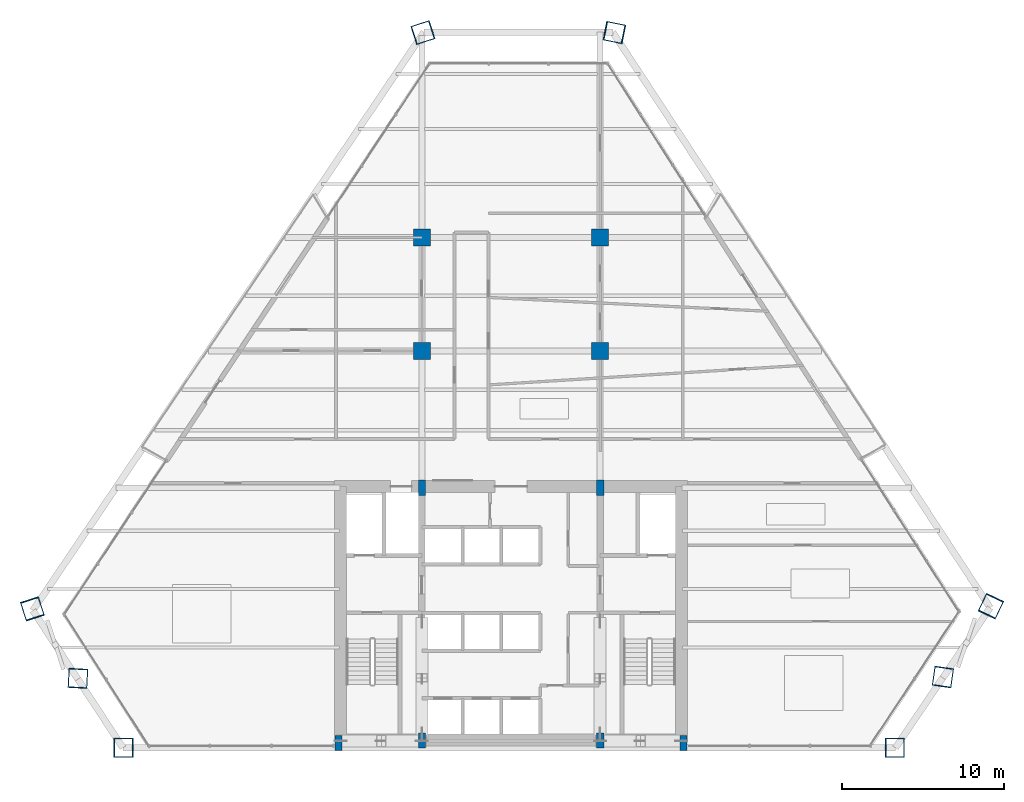
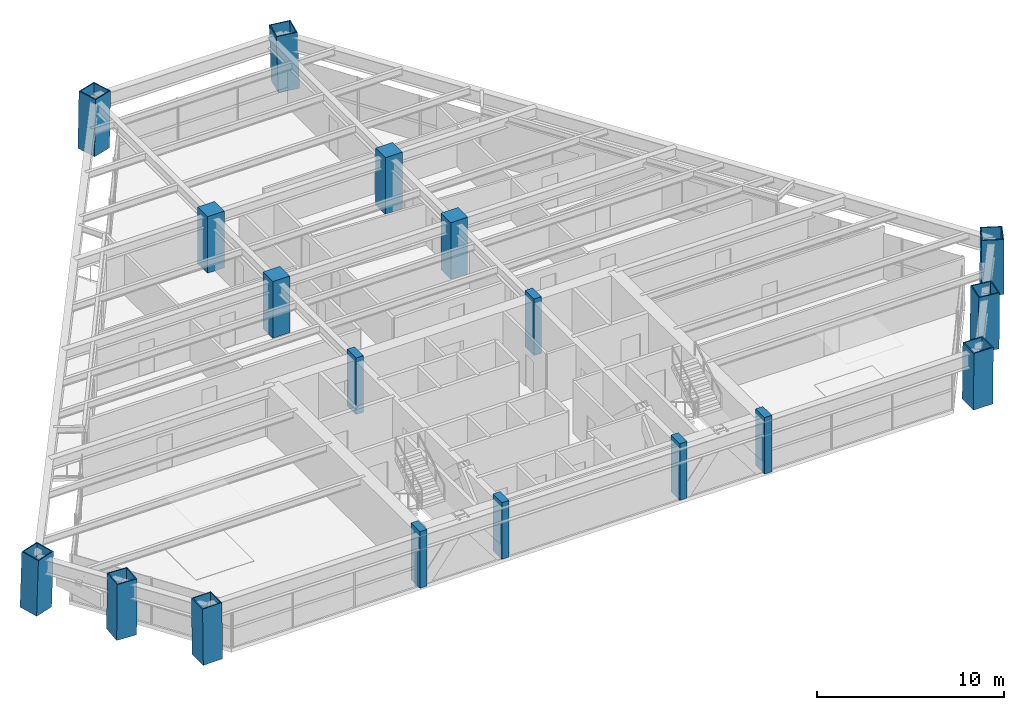
# One storey, part 1 of 14: 18 columns.
"""IFC4 building model written with IfcOpenShell, lengths in metres."""

from ifc_helpers import new_model, si_unit, direction, frame, origin, origin_2d, place, context, subcontext, project, spatial, rectangle, hollow_rectangle, extrude, source, transform, mapped, material, material_profile, profile_set, type_object, type_shapes, element, save


model = new_model("IFC4")

# Units and contexts
model_context = context("Model", 3, precision=1e-05, world=origin(), true_north=direction((0.0, 1.0)))
body_context = subcontext(model_context, "Body", "Model", "MODEL_VIEW")
ifc_project = project(units=[si_unit("LENGTHUNIT", "METRE"), si_unit("AREAUNIT", "SQUARE_METRE"), si_unit("VOLUMEUNIT", "CUBIC_METRE"), si_unit("PLANEANGLEUNIT", "RADIAN"), si_unit("MASSUNIT", "GRAM", prefix="KILO")], contexts=[model_context])

# Site, building, storey
site_placement = place(None, origin())
site = spatial("IfcSite", under=ifc_project, at=site_placement, CompositionType="ELEMENT")
building_placement = place(site_placement, origin())
building = spatial("IfcBuilding", under=site, at=building_placement, Name="Varnakhor Terracotta Tower", CompositionType="ELEMENT")
storey_placement = place(building_placement, frame((0.0, 0.0, 117.300048828125)))
storey = spatial("IfcBuildingStorey", under=building, at=storey_placement, Name="L29", CompositionType="ELEMENT", Elevation=117.300048828125)

# Columns
ifc_material_1 = material(Name="Concrete C50/60", Category="concrete")
ifc_material_profile_1 = material_profile(ifc_material_1, rectangle(XDim=0.449951171875, YDim=0.949951171875, at=origin_2d()), Name="RC PILASTER 950x450")
ifc_profile_set_1 = profile_set([ifc_material_profile_1], Name="Concrete C50/60")
column_type_1 = type_object("IfcColumnType", Name="COL-PIL-950x450", PredefinedType="PILASTER", material=ifc_profile_set_1)
shared_shape_1 = source(origin(), body_context, "Body", "SweptSolid", [
    extrude(rectangle(XDim=0.449951171875, YDim=0.949951171875, at=origin_2d()), origin(), (0.0, 0.0, 1.0), 3.699951171875),
])
for number, where, z_axis, x_axis, name in (
    (1, (-10.64990234375, 0.300048828125, 0.0), (0.0, 0.0, 1.0), (1.0, 0.0, 0.0), "L29 Core Pilaster CP1"),
    (2, (-5.5, 0.449951171875, 0.0), (0.0, 0.0, 1.0), (1.0, 0.0, 0.0), "L29 Core Pilaster CP2"),
    (3, (5.5, 0.449951171875, 0.0), (0.0, 0.0, 1.0), (1.0, 0.0, 0.0), "L29 Core Pilaster CP3"),
    (4, (10.64990234375, 0.300048828125, 0.0), (0.0, 0.0, 1.0), (1.0, 0.0, 0.0), "L29 Core Pilaster CP4"),
    (5, (-5.5, 16.050048828125, 0.0), (0.0, 0.0, 1.0), (1.0, 0.0, 0.0), "L29 Core Pilaster CP5"),
    (6, (5.5, 16.050048828125, 0.0), (0.0, 0.0, 1.0), (1.0, 0.0, 0.0), "L29 Core Pilaster CP6"),
):
    element("IfcColumn", number, at=place(storey_placement, frame(where, z_axis=z_axis, x_axis=x_axis)), inside=storey, type_object=column_type_1, Name=name, PredefinedType="PILASTER", context=body_context, shape_type="MappedRepresentation", body=[
        mapped(shared_shape_1, transform((0.0, 0.0, 0.0), scale=1.0)),
    ])
ifc_material_2 = material(Name="Concrete C60/75", Category="concrete")
ifc_material_profile_2 = material_profile(ifc_material_2, rectangle(XDim=1.050048828125, YDim=1.050048828125, at=origin_2d()), Name="RC 1050x1050")
ifc_profile_set_2 = profile_set([ifc_material_profile_2], Name="Concrete C60/75")
column_type_2 = type_object("IfcColumnType", Name="COL-RC-1050", PredefinedType="COLUMN", material=ifc_profile_set_2)
shared_shape_2 = source(origin(), body_context, "Body", "SweptSolid", [
    extrude(rectangle(XDim=1.050048828125, YDim=1.050048828125, at=origin_2d()), origin(), (0.0, 0.0, 1.0), 3.699951171875),
])
for number, where, z_axis, x_axis, name in (
    (7, (-5.5, 24.5, 0.0), (0.0, 0.0, 1.0), (1.0, 0.0, 0.0), "L29 Interior Tower Column IC1"),
    (8, (5.5, 24.5, 0.0), (0.0, 0.0, 1.0), (1.0, 0.0, 0.0), "L29 Interior Tower Column IC2"),
    (9, (-5.5, 31.5, 0.0), (0.0, 0.0, 1.0), (1.0, 0.0, 0.0), "L29 Interior Tower Column IC3"),
    (10, (5.5, 31.5, 0.0), (0.0, 0.0, 1.0), (1.0, 0.0, 0.0), "L29 Interior Tower Column IC4"),
):
    element("IfcColumn", number, at=place(storey_placement, frame(where, z_axis=z_axis, x_axis=x_axis)), inside=storey, type_object=column_type_2, Name=name, PredefinedType="COLUMN", context=body_context, shape_type="MappedRepresentation", body=[
        mapped(shared_shape_2, transform((0.0, 0.0, 0.0), scale=1.0)),
    ])
ifc_material_3 = material(Name="Steel S460", Category="steel")
ifc_material_profile_3 = material_profile(ifc_material_3, hollow_rectangle(XDim=1.199951171875, YDim=1.199951171875, WallThickness=0.06005859375, at=origin_2d()), Name="BOX 1200x1200x60")
ifc_profile_set_3 = profile_set([ifc_material_profile_3], Name="Steel S460")
column_type_3 = type_object("IfcColumnType", Name="COL-MEGA-1200", PredefinedType="COLUMN", material=ifc_profile_set_3)
shared_shape_3 = source(origin(), body_context, "Body", "SweptSolid", [
    extrude(hollow_rectangle(XDim=1.199951171875, YDim=1.199951171875, WallThickness=0.06005859375, at=origin_2d()), origin(), (0.0, 0.0, 1.0), 3.691650390625),
])
type_shapes(column_type_3, [shared_shape_3])
for number, where, z_axis, x_axis, name in (
    (11, (26.6591796875, 4.380126953125, 0.00439453125), (-0.002248546376, -0.015607557197, 0.999875666369), (0.989781037653, -0.142595573221, 0.0), "L29 Perimeter Mega-Column M3"),
    (12, (-26.7294921875, 4.298095703125, 0.00439453125), (-0.000925861215, -0.016467103041, 0.999863979398), (0.998423118025, -0.056136239568, 0.0), "L29 Perimeter Mega-Column M8"),
):
    element("IfcColumn", number, at=place(storey_placement, frame(where, z_axis=z_axis, x_axis=x_axis)), inside=storey, type_object=column_type_3, Name=name, PredefinedType="COLUMN", context=body_context, shape_type="MappedRepresentation", body=[
        mapped(shared_shape_3, transform((0.0, 0.0, 0.0), scale=1.0)),
    ])
shared_shape_4 = source(origin(), body_context, "Body", "SweptSolid", [
    extrude(hollow_rectangle(XDim=1.199951171875, YDim=1.199951171875, WallThickness=0.06005859375, at=origin_2d()), origin(), (0.0, 0.0, 1.0), 3.69140625),
])
for number, where, z_axis, x_axis, name in (
    (13, (-23.907958984375, 0.0, 0.00439453125), (-0.01256597649, 0.0, 0.999921045), (0.0, -1.0, 0.0), "L29 Perimeter Mega-Column M1"),
    (14, (23.689208984375, 0.0, 0.00439453125), (0.010449856009, 0.0, 0.999945398764), (0.0, 1.0, 0.0), "L29 Perimeter Mega-Column M2"),
):
    element("IfcColumn", number, at=place(storey_placement, frame(where, z_axis=z_axis, x_axis=x_axis)), inside=storey, type_object=column_type_3, Name=name, PredefinedType="COLUMN", context=body_context, shape_type="MappedRepresentation", body=[
        mapped(shared_shape_4, transform((0.0, 0.0, 0.0), scale=1.0)),
    ])
shared_shape_5 = source(origin(), body_context, "Body", "SweptSolid", [
    extrude(hollow_rectangle(XDim=1.199951171875, YDim=1.199951171875, WallThickness=0.06005859375, at=origin_2d()), origin(), (0.0, 0.0, 1.0), 3.693359375),
])
for number, where, z_axis, x_axis, name in (
    (15, (29.62890625, 8.76025390625, 0.00439453125), (-0.01487301378, -0.031266380079, 0.999400423723), (0.90303689093, -0.429563003085, 0.0), "L29 Perimeter Mega-Column M4"),
    (16, (6.40185546875, 44.143310546875, 0.00439453125), (-0.032920098661, 0.006676566194, 0.999435686059), (-0.198764604939, -0.980047259995, 0.0), "L29 Perimeter Mega-Column M5"),
    (17, (-29.55078125, 8.596435546875, 0.00439453125), (0.010642454431, -0.032984998517, 0.999399183528), (0.951690640675, 0.307058503304, 0.0), "L29 Perimeter Mega-Column M7"),
):
    element("IfcColumn", number, at=place(storey_placement, frame(where, z_axis=z_axis, x_axis=x_axis)), inside=storey, type_object=column_type_3, Name=name, PredefinedType="COLUMN", context=body_context, shape_type="MappedRepresentation", body=[
        mapped(shared_shape_5, transform((0.0, 0.0, 0.0), scale=1.0)),
    ])
shared_shape_6 = source(origin(), body_context, "Body", "SweptSolid", [
    extrude(hollow_rectangle(XDim=1.199951171875, YDim=1.199951171875, WallThickness=0.06005859375, at=origin_2d()), origin(), (0.0, 0.0, 1.0), 3.692138671875),
])
column_placement = place(storey_placement, frame((-5.449462890625, 44.143310546875, 0.00439453125), z_axis=(0.020763628606, 0.006678746781, 0.999762104737), x_axis=(-0.30620544822, 0.951965452882, 0.0)))
element("IfcColumn", 18, at=column_placement, inside=storey, type_object=column_type_3, Name="L29 Perimeter Mega-Column M6", PredefinedType="COLUMN", context=body_context, shape_type="MappedRepresentation", body=[
    mapped(shared_shape_6, transform((0.0, 0.0, 0.0), scale=1.0)),
])

save(model, "model.ifc")
